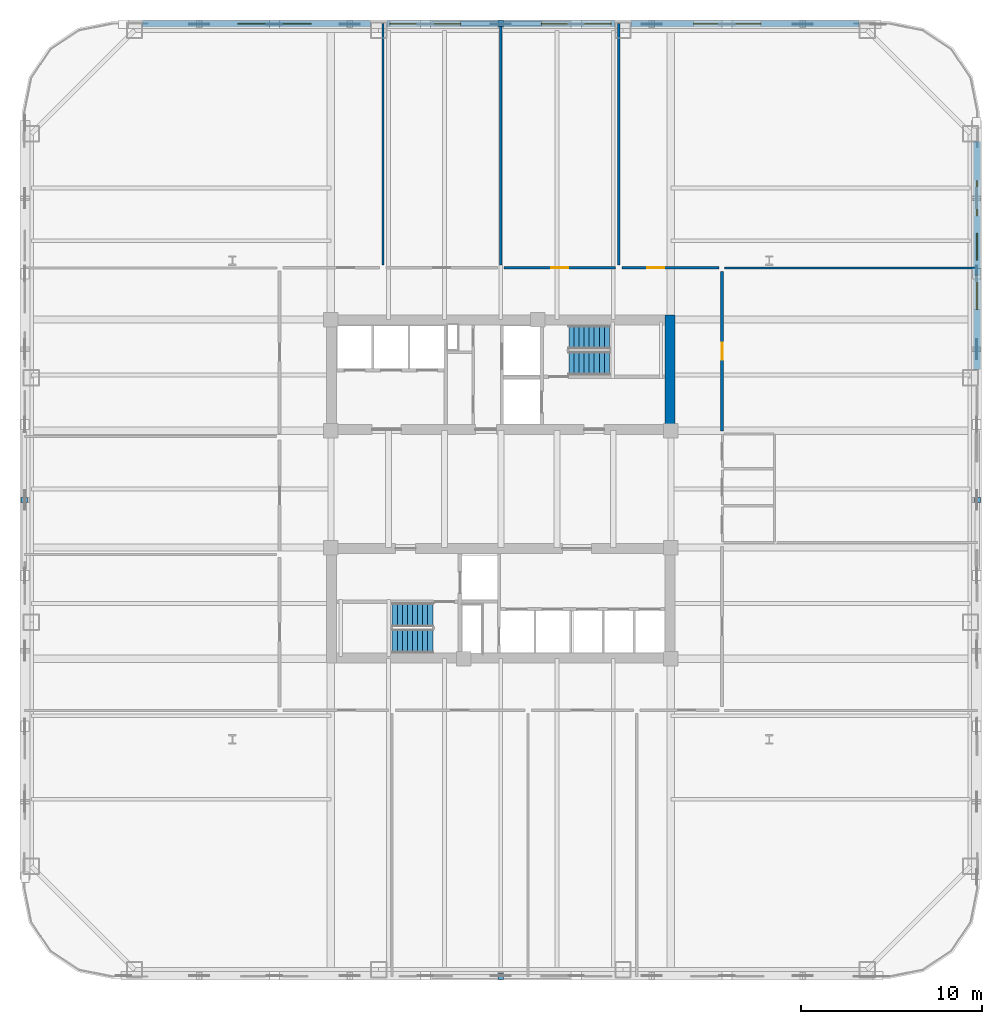
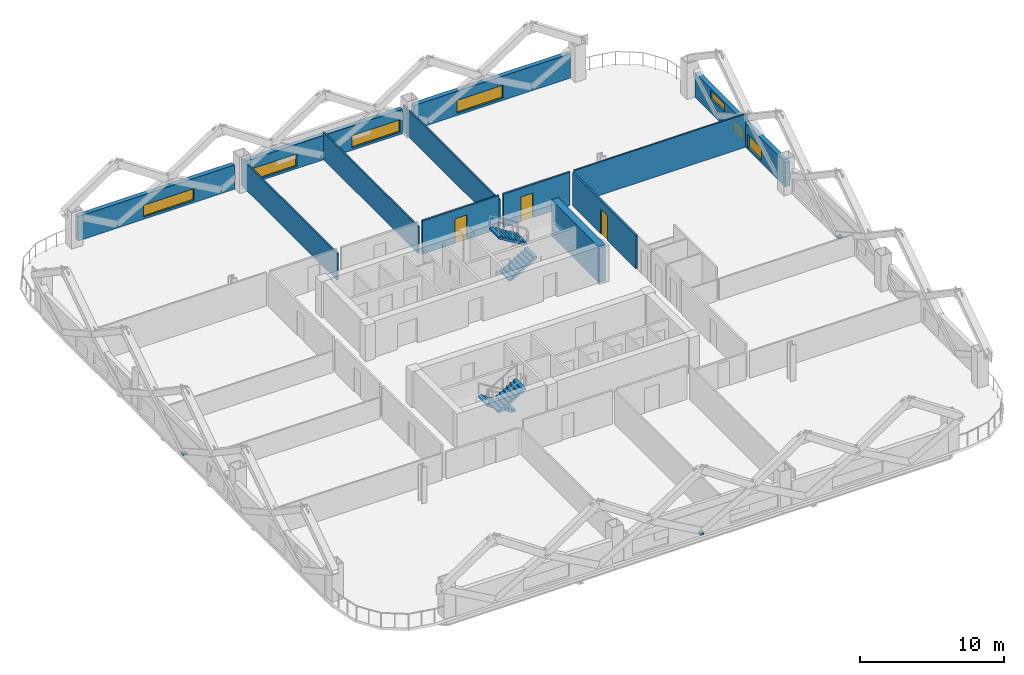
# One storey, part 7 of 13: 12 walls, 7 windows, 4 discrete accessories, 4 stair flights, 3 doors, 10 openings, 2 elements without a shape of their own.
"""IFC4 building model written with IfcOpenShell, lengths in metres."""

from ifc_helpers import new_model, si_unit, direction, frame, frame_2d, origin, origin_2d, place, context, subcontext, project, spatial, polyline, rectangle, outline, extrude, material, layer, layer_set, type_object, element, fill, aggregate, save


model = new_model("IFC4")

# Units and contexts
model_context = context("Model", 3, precision=1e-05, world=origin(), true_north=direction((0.0, 1.0)))
body_context = subcontext(model_context, "Body", "Model", "MODEL_VIEW")
ifc_project = project(units=[si_unit("LENGTHUNIT", "METRE"), si_unit("AREAUNIT", "SQUARE_METRE"), si_unit("VOLUMEUNIT", "CUBIC_METRE"), si_unit("PLANEANGLEUNIT", "RADIAN"), si_unit("MASSUNIT", "GRAM", prefix="KILO")], contexts=[model_context])

# Site, building, storey
site_placement = place(None, origin())
site = spatial("IfcSite", under=ifc_project, at=site_placement, CompositionType="ELEMENT")
building_placement = place(site_placement, origin())
building = spatial("IfcBuilding", under=site, at=building_placement, Name="Qhalaya Broadcast Tower", CompositionType="ELEMENT")
storey_placement = place(building_placement, frame((0.0, 0.0, 44.39990234375)))
storey = spatial("IfcBuildingStorey", under=building, at=storey_placement, Name="L12", CompositionType="ELEMENT", Elevation=44.39990234375)

# Wall, opening, door
ifc_material_1 = material(Name="Gypsum Acoustic Partition")
ifc_layer_1 = layer(ifc_material_1, 0.14990234375, Name="Gypsum Acoustic Partition")
ifc_layer_set_1 = layer_set([ifc_layer_1], Name="Gypsum Acoustic Partition")
wall_type_1 = type_object("IfcWallType", Name="Corridor & Tenancy Acoustic Partition 150", PredefinedType="PARTITIONING", material=ifc_layer_set_1)
wall_1_placement = place(storey_placement, frame((0.179931640625, 12.800048828125, 0.0), z_axis=(0.0, 0.0, 1.0), x_axis=(1.0, 0.0, 0.0)))
wall_1 = element("IfcWall", 1, at=wall_1_placement, inside=storey, type_object=wall_type_1, Name="L12 Partition Wall W-COR-03", PredefinedType="PARTITIONING", context=body_context, shape_type="SweptSolid", body=[
    extrude(rectangle(XDim=6.14013671875, YDim=0.14990234375, at=frame_2d((3.070068359375, 0.0))), origin(), (0.0, 0.0, 1.0), 2.830078125),
])
opening_1_placement = place(wall_1_placement, frame((2.594970703125, 0.0, 0.0)))
opening_1 = element("IfcOpeningElement", 2, at=opening_1_placement, cuts=wall_1, Name="Opening D10", PredefinedType="OPENING", context=body_context, shape_type="SweptSolid", body=[
    extrude(rectangle(XDim=0.949951171875, YDim=2.10009765625, at=frame_2d((0.47509765625, 1.050048828125))), frame((0.0, 0.0869140625, 0.0), z_axis=(0.0, -1.0, 0.0), x_axis=(1.0, 0.0, 0.0)), (0.0, 0.0, 1.0), 0.173828125),
])
ifc_material_2 = material(Name="Timber Veneer Acoustic Door", Category="wood")
door_type = type_object("IfcDoorType", Name="Cellular Office & Edit Booth Door D10", OperationType="NOTDEFINED", PredefinedType="DOOR", material=ifc_material_2)
door_1_placement = place(opening_1_placement, origin())
door_1 = element("IfcDoor", 3, at=door_1_placement, inside=storey, type_object=door_type, Name="L12 Door D-RM03", OperationType="SINGLE_SWING_RIGHT", OverallHeight=2.10009765625, OverallWidth=0.949951171875, PredefinedType="DOOR", context=body_context, shape_type="SweptSolid", body=[
    extrude(rectangle(XDim=0.949951171875, YDim=2.10009765625, at=frame_2d((0.47509765625, 1.050048828125))), frame((0.0, 0.02490234375, 0.0), z_axis=(0.0, -1.0, 0.0), x_axis=(1.0, 0.0, 0.0)), (0.0, 0.0, 1.0), 0.050048828125),
])
fill(opening_1, door_1)

wall_2_placement = place(storey_placement, frame((6.679931640625, 12.800048828125, 0.0), z_axis=(0.0, 0.0, 1.0), x_axis=(1.0, 0.0, 0.0)))
wall_2 = element("IfcWall", 4, at=wall_2_placement, inside=storey, type_object=wall_type_1, Name="L12 Partition Wall W-COR-04", PredefinedType="PARTITIONING", context=body_context, shape_type="SweptSolid", body=[
    extrude(rectangle(XDim=5.340087890625, YDim=0.14990234375, at=frame_2d((2.669921875, 0.0))), origin(), (0.0, 0.0, 1.0), 2.830078125),
])
opening_2_placement = place(wall_2_placement, frame((1.39501953125, 0.0, 0.0)))
opening_2 = element("IfcOpeningElement", 5, at=opening_2_placement, cuts=wall_2, Name="Opening D10", PredefinedType="OPENING", context=body_context, shape_type="SweptSolid", body=[
    extrude(rectangle(XDim=0.949951171875, YDim=2.10009765625, at=frame_2d((0.47509765625, 1.050048828125))), frame((0.0, 0.0869140625, 0.0), z_axis=(0.0, -1.0, 0.0), x_axis=(1.0, 0.0, 0.0)), (0.0, 0.0, 1.0), 0.173828125),
])
door_2_placement = place(opening_2_placement, origin())
door_2 = element("IfcDoor", 6, at=door_2_placement, inside=storey, type_object=door_type, Name="L12 Door D-RM04", OperationType="SINGLE_SWING_LEFT", OverallHeight=2.10009765625, OverallWidth=0.949951171875, PredefinedType="DOOR", context=body_context, shape_type="SweptSolid", body=[
    extrude(rectangle(XDim=0.949951171875, YDim=2.10009765625, at=frame_2d((0.47509765625, 1.050048828125))), frame((0.0, 0.02490234375, 0.0), z_axis=(0.0, -1.0, 0.0), x_axis=(1.0, 0.0, 0.0)), (0.0, 0.0, 1.0), 0.050048828125),
])
fill(opening_2, door_2)

wall_3_placement = place(storey_placement, frame((12.199951171875, 3.800048828125, 0.0), z_axis=(0.0, 0.0, 1.0), x_axis=(0.0, 1.0, 0.0)))
wall_3 = element("IfcWall", 7, at=wall_3_placement, inside=storey, type_object=wall_type_1, Name="L12 Partition Wall W-COR-13", PredefinedType="PARTITIONING", context=body_context, shape_type="SweptSolid", body=[
    extrude(rectangle(XDim=8.800048828125, YDim=0.14990234375, at=frame_2d((4.39990234375, 0.0))), origin(), (0.0, 0.0, 1.0), 2.830078125),
])
opening_3_placement = place(wall_3_placement, frame((3.925048828125, 0.0, 0.0)))
opening_3 = element("IfcOpeningElement", 8, at=opening_3_placement, cuts=wall_3, Name="Opening D10", PredefinedType="OPENING", context=body_context, shape_type="SweptSolid", body=[
    extrude(rectangle(XDim=0.949951171875, YDim=2.10009765625, at=frame_2d((0.47509765625, 1.050048828125))), frame((0.0, 0.0869140625, 0.0), z_axis=(0.0, -1.0, 0.0), x_axis=(1.0, 0.0, 0.0)), (0.0, 0.0, 1.0), 0.173828125),
])
door_3_placement = place(opening_3_placement, origin())
door_3 = element("IfcDoor", 9, at=door_3_placement, inside=storey, type_object=door_type, Name="L12 Door D-RM13", OperationType="SINGLE_SWING_RIGHT", OverallHeight=2.10009765625, OverallWidth=0.949951171875, PredefinedType="DOOR", context=body_context, shape_type="SweptSolid", body=[
    extrude(rectangle(XDim=0.949951171875, YDim=2.10009765625, at=frame_2d((0.47509765625, 1.050048828125))), frame((0.0, 0.02490234375, 0.0), z_axis=(0.0, -1.0, 0.0), x_axis=(1.0, 0.0, 0.0)), (0.0, 0.0, 1.0), 0.050048828125),
])
fill(opening_3, door_3)

# Wall, openings, windows
ifc_material_3 = material(Name="Precast Concrete C40/50", Category="concrete")
ifc_layer_2 = layer(ifc_material_3, 0.360107421875, Name="Precast Concrete C40/50")
ifc_layer_set_2 = layer_set([ifc_layer_2], Name="Precast Concrete C40/50")
wall_type_2 = type_object("IfcWallType", Name="Insulated Precast Terracotta Exterior Wall 360", PredefinedType="SOLIDWALL", material=ifc_layer_set_2)
wall_4_placement = place(storey_placement, frame((26.260009765625, 19.761962890625, 0.0), z_axis=(0.0, 0.0, 1.0), x_axis=(0.0, -1.0, 0.0)))
wall_4 = element("IfcWall", 10, at=wall_4_placement, inside=storey, type_object=wall_type_2, Name="L12 Exoskeleton Diagrid Infill Wall E1", PredefinedType="SOLIDWALL", context=body_context, shape_type="SweptSolid", body=[
    extrude(rectangle(XDim=12.57861328125, YDim=0.360107421875, at=frame_2d((6.289306640625, 0.0))), origin(), (0.0, 0.0, 1.0), 2.067138671875),
])
opening_4_placement = place(wall_4_placement, frame((2.14990234375, 0.0, 1.199951171875)))
opening_4 = element("IfcOpeningElement", 11, at=opening_4_placement, cuts=wall_4, Name="Opening W11", PredefinedType="OPENING", context=body_context, shape_type="SweptSolid", body=[
    extrude(rectangle(XDim=1.949951171875, YDim=0.699951171875, at=frame_2d((0.97509765625, 0.35009765625))), frame((0.0, 0.192138671875, 0.0), z_axis=(0.0, -1.0, 0.0), x_axis=(1.0, 0.0, 0.0)), (0.0, 0.0, 1.0), 0.384033203125),
])
opening_5_placement = place(wall_4_placement, frame((5.050048828125, 0.0, 0.199951171875)))
opening_5 = element("IfcOpeningElement", 12, at=opening_5_placement, cuts=wall_4, Name="Opening W11", PredefinedType="OPENING", context=body_context, shape_type="SweptSolid", body=[
    extrude(rectangle(XDim=1.5, YDim=0.949951171875, at=frame_2d((0.75, 0.47509765625))), frame((0.0, 0.192138671875, 0.0), z_axis=(0.0, -1.0, 0.0), x_axis=(1.0, 0.0, 0.0)), (0.0, 0.0, 1.0), 0.384033203125),
])
opening_6_placement = place(wall_4_placement, frame((7.35009765625, 0.0, 0.199951171875)))
opening_6 = element("IfcOpeningElement", 13, at=opening_6_placement, cuts=wall_4, Name="Opening W11", PredefinedType="OPENING", context=body_context, shape_type="SweptSolid", body=[
    extrude(rectangle(XDim=1.89990234375, YDim=1.10009765625, at=frame_2d((0.949951171875, 0.550048828125))), frame((0.0, 0.192138671875, 0.0), z_axis=(0.0, -1.0, 0.0), x_axis=(1.0, 0.0, 0.0)), (0.0, 0.0, 1.0), 0.384033203125),
])
ifc_material_4 = material(Name="Solar-Control Low-E Triple Glazing", Category="glass")
window_type = type_object("IfcWindowType", Name="Odd-Block Diagrid Infill Window W11", PartitioningType="SINGLE_PANEL", PredefinedType="WINDOW", material=ifc_material_4)
window_1_placement = place(opening_4_placement, origin())
window_1 = element("IfcWindow", 14, at=window_1_placement, inside=storey, type_object=window_type, Name="L12 Diagrid Infill Window W11-E1", OverallHeight=0.699951171875, OverallWidth=1.949951171875, PartitioningType="SINGLE_PANEL", PredefinedType="WINDOW", context=body_context, shape_type="SweptSolid", body=[
    extrude(rectangle(XDim=1.949951171875, YDim=0.699951171875, at=frame_2d((0.97509765625, 0.35009765625))), frame((0.0, 0.030029296875, 0.0), z_axis=(0.0, -1.0, 0.0), x_axis=(1.0, 0.0, 0.0)), (0.0, 0.0, 1.0), 0.06005859375),
])
fill(opening_4, window_1)
window_2_placement = place(opening_5_placement, origin())
window_2 = element("IfcWindow", 15, at=window_2_placement, inside=storey, type_object=window_type, Name="L12 Diagrid Infill Window W11-E2", OverallHeight=0.949951171875, OverallWidth=1.5, PartitioningType="SINGLE_PANEL", PredefinedType="WINDOW", context=body_context, shape_type="SweptSolid", body=[
    extrude(rectangle(XDim=1.5, YDim=0.949951171875, at=frame_2d((0.75, 0.47509765625))), frame((0.0, 0.030029296875, 0.0), z_axis=(0.0, -1.0, 0.0), x_axis=(1.0, 0.0, 0.0)), (0.0, 0.0, 1.0), 0.06005859375),
])
fill(opening_5, window_2)
window_3_placement = place(opening_6_placement, origin())
window_3 = element("IfcWindow", 16, at=window_3_placement, inside=storey, type_object=window_type, Name="L12 Diagrid Infill Window W11-E3", OverallHeight=1.10009765625, OverallWidth=1.89990234375, PartitioningType="SINGLE_PANEL", PredefinedType="WINDOW", context=body_context, shape_type="SweptSolid", body=[
    extrude(rectangle(XDim=1.89990234375, YDim=1.10009765625, at=frame_2d((0.949951171875, 0.550048828125))), frame((0.0, 0.030029296875, 0.0), z_axis=(0.0, -1.0, 0.0), x_axis=(1.0, 0.0, 0.0)), (0.0, 0.0, 1.0), 0.06005859375),
])
fill(opening_6, window_3)

# Wall, opening, window
wall_5_placement = place(storey_placement, frame((-19.761962890625, 26.260009765625, 0.0), z_axis=(0.0, 0.0, 1.0), x_axis=(1.0, 0.0, 0.0)))
wall_5 = element("IfcWall", 17, at=wall_5_placement, inside=storey, type_object=wall_type_2, Name="L12 Exoskeleton Diagrid Infill Wall N1", PredefinedType="SOLIDWALL", context=body_context, shape_type="SweptSolid", body=[
    extrude(rectangle(XDim=12.57861328125, YDim=0.360107421875, at=frame_2d((6.289306640625, 0.0))), origin(), (0.0, 0.0, 1.0), 2.067138671875),
])
opening_7_placement = place(wall_5_placement, frame((5.25, 0.0, 0.199951171875)))
opening_7 = element("IfcOpeningElement", 18, at=opening_7_placement, cuts=wall_5, Name="Opening W11", PredefinedType="OPENING", context=body_context, shape_type="SweptSolid", body=[
    extrude(rectangle(XDim=4.050048828125, YDim=1.0, at=frame_2d((2.02490234375, 0.5))), frame((0.0, 0.192138671875, 0.0), z_axis=(0.0, -1.0, 0.0), x_axis=(1.0, 0.0, 0.0)), (0.0, 0.0, 1.0), 0.384033203125),
])
window_4_placement = place(opening_7_placement, origin())
window_4 = element("IfcWindow", 19, at=window_4_placement, inside=storey, type_object=window_type, Name="L12 Diagrid Infill Window W11-N1", OverallHeight=1.0, OverallWidth=4.050048828125, PartitioningType="SINGLE_PANEL", PredefinedType="WINDOW", context=body_context, shape_type="SweptSolid", body=[
    extrude(rectangle(XDim=4.050048828125, YDim=1.0, at=frame_2d((2.02490234375, 0.5))), frame((0.0, 0.030029296875, 0.0), z_axis=(0.0, -1.0, 0.0), x_axis=(1.0, 0.0, 0.0)), (0.0, 0.0, 1.0), 0.06005859375),
])
fill(opening_7, window_4)

# Wall, openings, windows
wall_6_placement = place(storey_placement, frame((-6.283203125, 26.260009765625, 0.0), z_axis=(0.0, 0.0, 1.0), x_axis=(1.0, 0.0, 0.0)))
wall_6 = element("IfcWall", 20, at=wall_6_placement, inside=storey, type_object=wall_type_2, Name="L12 Exoskeleton Diagrid Infill Wall N2", PredefinedType="SOLIDWALL", context=body_context, shape_type="SweptSolid", body=[
    extrude(rectangle(XDim=12.56640625, YDim=0.360107421875, at=frame_2d((6.283203125, 0.0))), origin(), (0.0, 0.0, 1.0), 2.067138671875),
])
opening_8_placement = place(wall_6_placement, frame((0.1708984375, 0.0, 0.199951171875)))
opening_8 = element("IfcOpeningElement", 21, at=opening_8_placement, cuts=wall_6, Name="Opening W11", PredefinedType="OPENING", context=body_context, shape_type="SweptSolid", body=[
    extrude(rectangle(XDim=3.89990234375, YDim=1.050048828125, at=frame_2d((1.949951171875, 0.52490234375))), frame((0.0, 0.192138671875, 0.0), z_axis=(0.0, -1.0, 0.0), x_axis=(1.0, 0.0, 0.0)), (0.0, 0.0, 1.0), 0.384033203125),
])
opening_9_placement = place(wall_6_placement, frame((8.52099609375, 0.0, 0.199951171875)))
opening_9 = element("IfcOpeningElement", 22, at=opening_9_placement, cuts=wall_6, Name="Opening W11", PredefinedType="OPENING", context=body_context, shape_type="SweptSolid", body=[
    extrude(rectangle(XDim=3.85009765625, YDim=1.050048828125, at=frame_2d((1.925048828125, 0.52490234375))), frame((0.0, 0.192138671875, 0.0), z_axis=(0.0, -1.0, 0.0), x_axis=(1.0, 0.0, 0.0)), (0.0, 0.0, 1.0), 0.384033203125),
])
window_5_placement = place(opening_8_placement, origin())
window_5 = element("IfcWindow", 23, at=window_5_placement, inside=storey, type_object=window_type, Name="L12 Diagrid Infill Window W11-N2", OverallHeight=1.050048828125, OverallWidth=3.89990234375, PartitioningType="SINGLE_PANEL", PredefinedType="WINDOW", context=body_context, shape_type="SweptSolid", body=[
    extrude(rectangle(XDim=3.89990234375, YDim=1.050048828125, at=frame_2d((1.949951171875, 0.52490234375))), frame((0.0, 0.030029296875, 0.0), z_axis=(0.0, -1.0, 0.0), x_axis=(1.0, 0.0, 0.0)), (0.0, 0.0, 1.0), 0.06005859375),
])
fill(opening_8, window_5)
window_6_placement = place(opening_9_placement, origin())
window_6 = element("IfcWindow", 24, at=window_6_placement, inside=storey, type_object=window_type, Name="L12 Diagrid Infill Window W11-N3", OverallHeight=1.050048828125, OverallWidth=3.85009765625, PartitioningType="SINGLE_PANEL", PredefinedType="WINDOW", context=body_context, shape_type="SweptSolid", body=[
    extrude(rectangle(XDim=3.85009765625, YDim=1.050048828125, at=frame_2d((1.925048828125, 0.52490234375))), frame((0.0, 0.030029296875, 0.0), z_axis=(0.0, -1.0, 0.0), x_axis=(1.0, 0.0, 0.0)), (0.0, 0.0, 1.0), 0.06005859375),
])
fill(opening_9, window_6)

# Wall, opening, window
wall_7_placement = place(storey_placement, frame((7.183349609375, 26.260009765625, 0.0), z_axis=(0.0, 0.0, 1.0), x_axis=(1.0, 0.0, 0.0)))
wall_7 = element("IfcWall", 25, at=wall_7_placement, inside=storey, type_object=wall_type_2, Name="L12 Exoskeleton Diagrid Infill Wall N3", PredefinedType="SOLIDWALL", context=body_context, shape_type="SweptSolid", body=[
    extrude(rectangle(XDim=12.57861328125, YDim=0.360107421875, at=frame_2d((6.289306640625, 0.0))), origin(), (0.0, 0.0, 1.0), 2.067138671875),
])
opening_10_placement = place(wall_7_placement, frame((3.455078125, 0.0, 0.199951171875)))
opening_10 = element("IfcOpeningElement", 26, at=opening_10_placement, cuts=wall_7, Name="Opening W11", PredefinedType="OPENING", context=body_context, shape_type="SweptSolid", body=[
    extrude(rectangle(XDim=3.699951171875, YDim=1.10009765625, at=frame_2d((1.85009765625, 0.550048828125))), frame((0.0, 0.192138671875, 0.0), z_axis=(0.0, -1.0, 0.0), x_axis=(1.0, 0.0, 0.0)), (0.0, 0.0, 1.0), 0.384033203125),
])
window_7_placement = place(opening_10_placement, origin())
window_7 = element("IfcWindow", 27, at=window_7_placement, inside=storey, type_object=window_type, Name="L12 Diagrid Infill Window W11-N4", OverallHeight=1.10009765625, OverallWidth=3.699951171875, PartitioningType="SINGLE_PANEL", PredefinedType="WINDOW", context=body_context, shape_type="SweptSolid", body=[
    extrude(rectangle(XDim=3.699951171875, YDim=1.10009765625, at=frame_2d((1.85009765625, 0.550048828125))), frame((0.0, 0.030029296875, 0.0), z_axis=(0.0, -1.0, 0.0), x_axis=(1.0, 0.0, 0.0)), (0.0, 0.0, 1.0), 0.06005859375),
])
fill(opening_10, window_7)

# Walls
ifc_material_5 = material(Name="Concrete C60/75", Category="concrete")
ifc_layer_3 = layer(ifc_material_5, 0.550048828125, Name="Concrete C60/75")
ifc_layer_set_3 = layer_set([ifc_layer_3], Name="Concrete C60/75")
wall_type_3 = type_object("IfcWallType", Name="Lower Split-Core Shear Wall 550", PredefinedType="SHEAR", material=ifc_layer_set_3)
wall_8_placement = place(storey_placement, frame((9.324951171875, 3.60009765625, 0.0), z_axis=(0.0, 0.0, 1.0), x_axis=(0.0, 1.0, 0.0)))
element("IfcWall", 28, at=wall_8_placement, inside=storey, type_object=wall_type_3, Name="L12 Split-Core Shear Wall CW-NE", PredefinedType="SHEAR", context=body_context, shape_type="SweptSolid", body=[
    extrude(rectangle(XDim=6.599853515625, YDim=0.550048828125, at=frame_2d((3.2998046875, 0.0))), origin(), (0.0, 0.0, 1.0), 3.050048828125),
])
ifc_layer_4 = layer(ifc_material_1, 0.1201171875, Name="Gypsum Acoustic Partition")
ifc_layer_set_4 = layer_set([ifc_layer_4], Name="Gypsum Acoustic Partition")
wall_type_4 = type_object("IfcWallType", Name="Office, Booth & Sanitary Partition 120", PredefinedType="PARTITIONING", material=ifc_layer_set_4)
wall_9_placement = place(storey_placement, frame((12.340087890625, 12.800048828125, 0.0), z_axis=(0.0, 0.0, 1.0), x_axis=(1.0, 0.0, 0.0)))
element("IfcWall", 29, at=wall_9_placement, inside=storey, type_object=wall_type_4, Name="L12 Partition Wall W-BNDE1", PredefinedType="PARTITIONING", context=body_context, shape_type="SweptSolid", body=[
    extrude(rectangle(XDim=13.93994140625, YDim=0.1201171875, at=frame_2d((6.969970703125, 0.0))), origin(), (0.0, 0.0, 1.0), 2.830078125),
])
for number, where, z_axis, x_axis, name in (
    (30, (-6.5, 12.9599609375, 0.0), (0.0, 0.0, 1.0), (0.0, 1.0, 0.0), "L12 Partition Wall W-DIVN1"),
    (31, (0.0, 12.9599609375, 0.0), (0.0, 0.0, 1.0), (0.0, 1.0, 0.0), "L12 Partition Wall W-DIVN2"),
    (32, (6.5, 12.9599609375, 0.0), (0.0, 0.0, 1.0), (0.0, 1.0, 0.0), "L12 Partition Wall W-DIVN3"),
):
    element("IfcWall", number, at=place(storey_placement, frame(where, z_axis=z_axis, x_axis=x_axis)), inside=storey, type_object=wall_type_4, Name=name, PredefinedType="PARTITIONING", context=body_context, shape_type="SweptSolid", body=[
        extrude(rectangle(XDim=13.320068359375, YDim=0.1201171875, at=frame_2d((6.66015625, 0.0))), origin(), (0.0, 0.0, 1.0), 2.274169921875),
    ])

# Stair, stair flights
ifc_material_6 = material(Name="Concrete C40/50", Category="concrete")
stair_type = type_object("IfcStairType", Name="Protected Dogleg Core Stair 3150", PredefinedType="TWO_STRAIGHT_RUN_STAIR", material=ifc_material_6)
stair_1_placement = place(storey_placement, origin())
stair_1 = element("IfcStair", 33, at=stair_1_placement, inside=storey, type_object=stair_type, Name="L12 North Core Exit Stair ST-1", PredefinedType="TWO_STRAIGHT_RUN_STAIR")
stair_flight_type = type_object("IfcStairFlightType", Name="Precast Concrete Stair Flight 3150", PredefinedType="STRAIGHT", material=ifc_material_3)
stair_flight_1_placement = place(storey_placement, frame((3.75, 7.5400390625, 0.0), z_axis=(0.0, 0.0, 1.0), x_axis=(1.0, 0.0, 0.0)))
stair_flight_1 = element("IfcStairFlight", 34, at=stair_flight_1_placement, type_object=stair_flight_type, Name="ST-1 flight 1", NumberOfRisers=9, NumberOfTreads=8, PredefinedType="STRAIGHT", RiserHeight=0.169444444, TreadLength=0.28, context=body_context, shape_type="SweptSolid", body=[
    extrude(outline(polyline([(0.0, 0.0), (0.0, 0.16943359375), (0.280029296875, 0.16943359375), (0.280029296875, 0.3388671875), (0.56005859375, 0.3388671875), (0.56005859375, 0.50830078125), (0.840087890625, 0.50830078125), (0.840087890625, 0.677734375), (1.1201171875, 0.677734375), (1.1201171875, 0.84716796875), (1.39990234375, 0.84716796875), (1.39990234375, 1.0166015625), (1.679931640625, 1.0166015625), (1.679931640625, 1.18603515625), (1.9599609375, 1.18603515625), (1.9599609375, 1.35546875), (2.239990234375, 1.35546875), (2.239990234375, 1.52490234375), (2.239990234375, 1.180419921875), (0.28955078125, 0.0), (0.0, 0.0)])), frame((0.0, 0.66015625, 0.0), z_axis=(0.0, -1.0, 0.0), x_axis=(1.0, 0.0, 0.0)), (0.0, 0.0, 1.0), 1.320068359375),
])
stair_flight_2_placement = place(storey_placement, frame((5.989990234375, 8.97998046875, 1.525146484375), z_axis=(0.0, 0.0, 1.0), x_axis=(-1.0, 0.0, 0.0)))
stair_flight_2 = element("IfcStairFlight", 35, at=stair_flight_2_placement, type_object=stair_flight_type, Name="ST-1 flight 2", NumberOfRisers=9, NumberOfTreads=8, PredefinedType="STRAIGHT", RiserHeight=0.169444444, TreadLength=0.28, context=body_context, shape_type="SweptSolid", body=[
    extrude(outline(polyline([(0.0, 0.0), (0.0, 0.16943359375), (0.280029296875, 0.16943359375), (0.280029296875, 0.3388671875), (0.56005859375, 0.3388671875), (0.56005859375, 0.50830078125), (0.840087890625, 0.50830078125), (0.840087890625, 0.677734375), (1.1201171875, 0.677734375), (1.1201171875, 0.84716796875), (1.39990234375, 0.84716796875), (1.39990234375, 1.0166015625), (1.679931640625, 1.0166015625), (1.679931640625, 1.18603515625), (1.9599609375, 1.18603515625), (1.9599609375, 1.35546875), (2.239990234375, 1.35546875), (2.239990234375, 1.52490234375), (2.239990234375, 1.180419921875), (0.28955078125, 0.0), (0.0, 0.0)])), frame((0.0, 0.66015625, 0.0), z_axis=(0.0, -1.0, 0.0), x_axis=(1.0, 0.0, 0.0)), (0.0, 0.0, 1.0), 1.320068359375),
])
aggregate(stair_1, [stair_flight_1, stair_flight_2])

stair_2_placement = place(storey_placement, origin())
stair_2 = element("IfcStair", 36, at=stair_2_placement, inside=storey, type_object=stair_type, Name="L12 South Core Exit Stair ST-2", PredefinedType="TWO_STRAIGHT_RUN_STAIR")
stair_flight_3_placement = place(storey_placement, frame((-3.75, -6.340087890625, 0.0), z_axis=(0.0, 0.0, 1.0), x_axis=(-1.0, 0.0, 0.0)))
stair_flight_3 = element("IfcStairFlight", 37, at=stair_flight_3_placement, type_object=stair_flight_type, Name="ST-2 flight 1", NumberOfRisers=9, NumberOfTreads=8, PredefinedType="STRAIGHT", RiserHeight=0.169444444, TreadLength=0.28, context=body_context, shape_type="SweptSolid", body=[
    extrude(outline(polyline([(0.0, 0.0), (0.0, 0.16943359375), (0.280029296875, 0.16943359375), (0.280029296875, 0.3388671875), (0.56005859375, 0.3388671875), (0.56005859375, 0.50830078125), (0.840087890625, 0.50830078125), (0.840087890625, 0.677734375), (1.1201171875, 0.677734375), (1.1201171875, 0.84716796875), (1.39990234375, 0.84716796875), (1.39990234375, 1.0166015625), (1.679931640625, 1.0166015625), (1.679931640625, 1.18603515625), (1.9599609375, 1.18603515625), (1.9599609375, 1.35546875), (2.239990234375, 1.35546875), (2.239990234375, 1.52490234375), (2.239990234375, 1.180419921875), (0.28955078125, 0.0), (0.0, 0.0)])), frame((0.0, 0.66015625, 0.0), z_axis=(0.0, -1.0, 0.0), x_axis=(1.0, 0.0, 0.0)), (0.0, 0.0, 1.0), 1.320068359375),
])
stair_flight_4_placement = place(storey_placement, frame((-5.989990234375, -7.780029296875, 1.525146484375), z_axis=(0.0, 0.0, 1.0), x_axis=(1.0, 0.0, 0.0)))
stair_flight_4 = element("IfcStairFlight", 38, at=stair_flight_4_placement, type_object=stair_flight_type, Name="ST-2 flight 2", NumberOfRisers=9, NumberOfTreads=8, PredefinedType="STRAIGHT", RiserHeight=0.169444444, TreadLength=0.28, context=body_context, shape_type="SweptSolid", body=[
    extrude(outline(polyline([(0.0, 0.0), (0.0, 0.16943359375), (0.280029296875, 0.16943359375), (0.280029296875, 0.3388671875), (0.56005859375, 0.3388671875), (0.56005859375, 0.50830078125), (0.840087890625, 0.50830078125), (0.840087890625, 0.677734375), (1.1201171875, 0.677734375), (1.1201171875, 0.84716796875), (1.39990234375, 0.84716796875), (1.39990234375, 1.0166015625), (1.679931640625, 1.0166015625), (1.679931640625, 1.18603515625), (1.9599609375, 1.18603515625), (1.9599609375, 1.35546875), (2.239990234375, 1.35546875), (2.239990234375, 1.52490234375), (2.239990234375, 1.180419921875), (0.28955078125, 0.0), (0.0, 0.0)])), frame((0.0, 0.66015625, 0.0), z_axis=(0.0, -1.0, 0.0), x_axis=(1.0, 0.0, 0.0)), (0.0, 0.0, 1.0), 1.320068359375),
])
aggregate(stair_2, [stair_flight_3, stair_flight_4])

# Discrete accessories
ifc_material_7 = material(Name="Structural Steel ASTM A572 Grade 50", Category="steel")
discrete_accessory_type = type_object("IfcDiscreteAccessoryType", Name="Facade Baguette Support Bracket BRK-01", PredefinedType="BRACKET", material=ifc_material_7)
for number, where, z_axis, x_axis, name in (
    (39, (0.0, -26.280029296875, 0.0), (0.0, 0.0, 1.0), (1.0, 0.0, 0.0), "L12 Baguette Support Bracket S"),
    (40, (26.280029296875, 0.0, 0.0), (0.0, 0.0, 1.0), (0.0, 1.0, 0.0), "L12 Baguette Support Bracket E"),
    (41, (0.0, 26.280029296875, 0.0), (0.0, 0.0, 1.0), (-1.0, 0.0, 0.0), "L12 Baguette Support Bracket N"),
    (42, (-26.280029296875, 0.0, 0.0), (0.0, 0.0, 1.0), (0.0, -1.0, 0.0), "L12 Baguette Support Bracket W"),
):
    element("IfcDiscreteAccessory", number, at=place(storey_placement, frame(where, z_axis=z_axis, x_axis=x_axis)), inside=storey, type_object=discrete_accessory_type, Name=name, PredefinedType="BRACKET", context=body_context, shape_type="SweptSolid", body=[
        extrude(rectangle(XDim=0.300048828125, YDim=0.340087890625, at=origin_2d()), origin(), (0.0, 0.0, 1.0), 0.159912109375),
    ])

save(model, "model.ifc")
